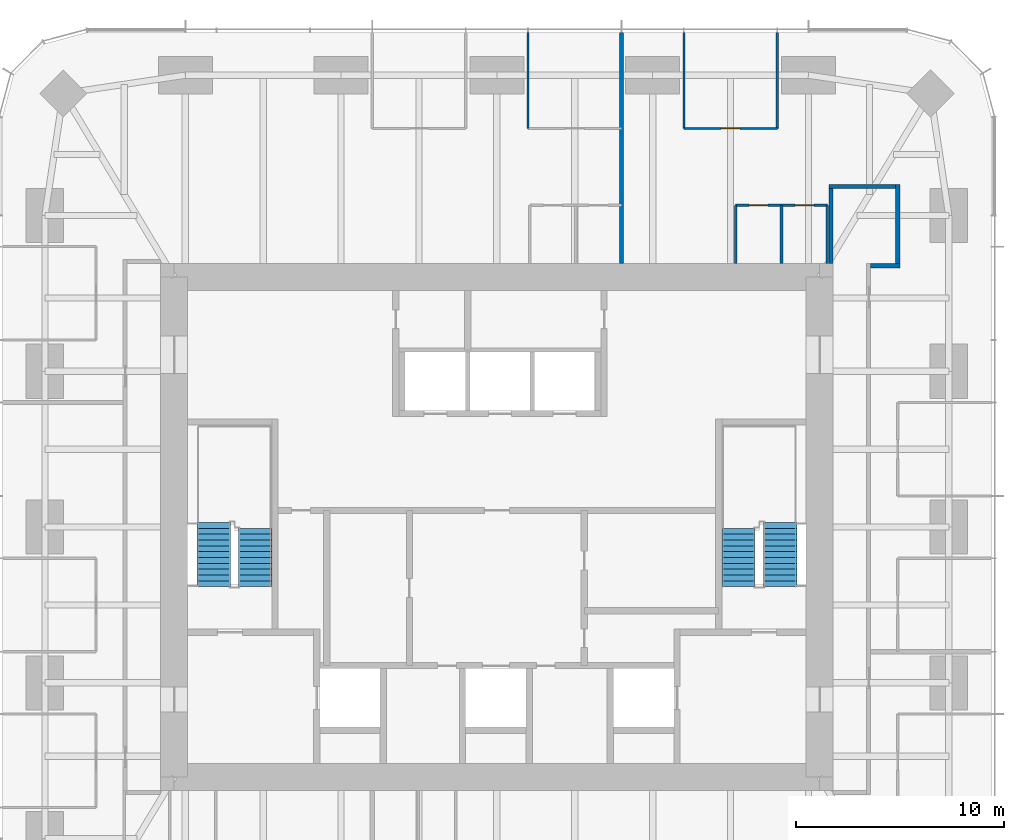
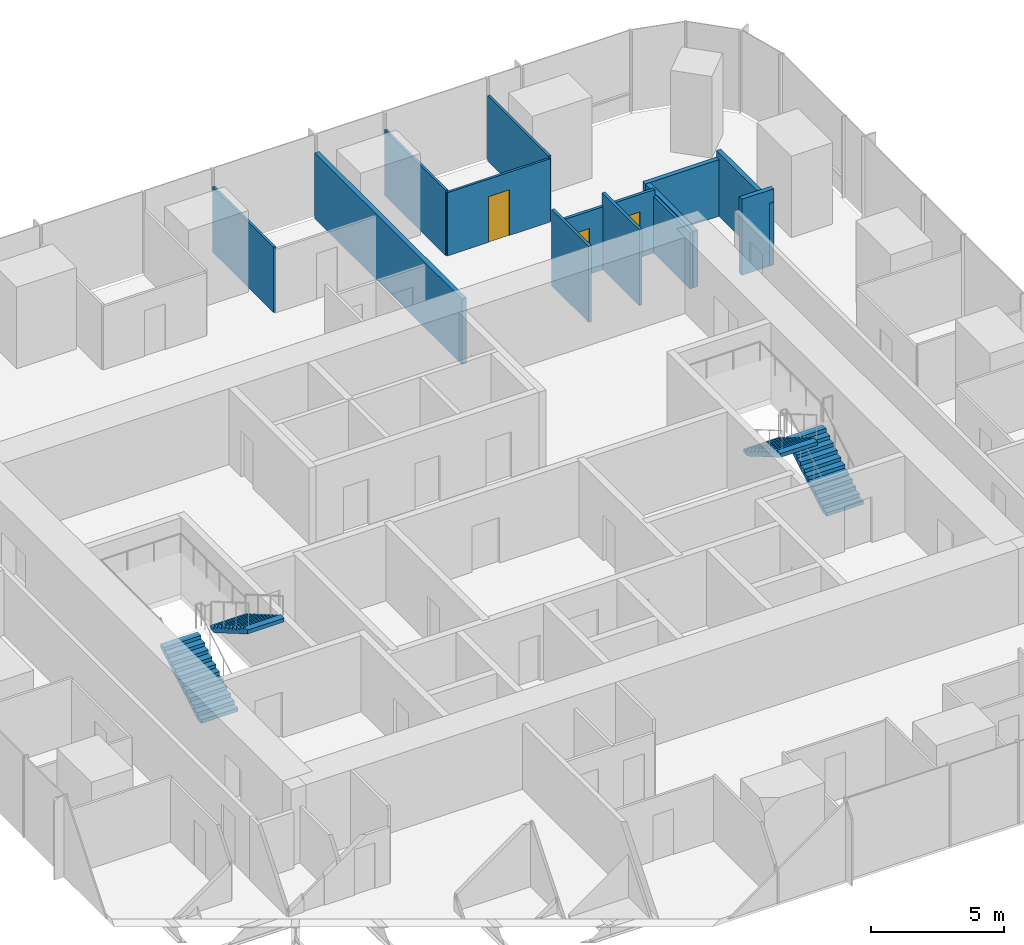
# One storey, part 11 of 12: 13 walls, 4 stair flights, 3 doors, 3 openings, 2 elements without a shape of their own.
"""IFC4 building model written with IfcOpenShell, lengths in metres."""

from ifc_helpers import new_model, si_unit, direction, frame, frame_2d, origin, place, context, subcontext, project, spatial, polyline, rectangle, outline, extrude, material, layer, layer_set, type_object, element, fill, aggregate, save


model = new_model("IFC4")

# Units and contexts
model_context = context("Model", 3, precision=1e-05, world=origin(), true_north=direction((0.0, 1.0)))
body_context = subcontext(model_context, "Body", "Model", "MODEL_VIEW")
ifc_project = project(units=[si_unit("LENGTHUNIT", "METRE"), si_unit("AREAUNIT", "SQUARE_METRE"), si_unit("VOLUMEUNIT", "CUBIC_METRE"), si_unit("PLANEANGLEUNIT", "RADIAN"), si_unit("MASSUNIT", "GRAM", prefix="KILO")], contexts=[model_context])

# Site, building, storey
site_placement = place(None, origin())
site = spatial("IfcSite", under=ifc_project, at=site_placement, CompositionType="ELEMENT")
building_placement = place(site_placement, origin())
building = spatial("IfcBuilding", under=site, at=building_placement, Name="Khuree Lantern Residences", CompositionType="ELEMENT")
storey_placement = place(building_placement, frame((0.0, 0.0, 289.5)))
storey = spatial("IfcBuildingStorey", under=building, at=storey_placement, Name="L72", CompositionType="ELEMENT", Elevation=289.5)

# Wall, openings, doors
ifc_material_1 = material(Name="Moisture-resistant gypsum board on steel studs", Category="steel")
ifc_layer_1 = layer(ifc_material_1, 0.125)
ifc_layer_set_1 = layer_set([ifc_layer_1], Name="BATHROOM WALL BTW125")
wall_type_1 = type_object("IfcWallType", Name="BATHROOM WALL BTW125", PredefinedType="PARTITIONING", material=ifc_layer_set_1)
wall_1_placement = place(storey_placement, frame((15.866455078125, 15.449951171875, 0.0), z_axis=(0.0, 0.0, 1.0), x_axis=(-1.0, 0.0, 0.0)))
wall_1 = element("IfcWall", 1, at=wall_1_placement, inside=storey, type_object=wall_type_1, Name="L72 BATHROOM WALL 01", PredefinedType="PARTITIONING", context=body_context, shape_type="SweptSolid", body=[
    extrude(rectangle(XDim=4.39990234375, YDim=0.125, at=frame_2d((2.199951171875, 0.0))), origin(), (0.0, 0.0, 1.0), 2.89990234375),
])
opening_1_placement = place(wall_1_placement, frame((0.64990234375, 0.0, 0.0)))
opening_1 = element("IfcOpeningElement", 2, at=opening_1_placement, cuts=wall_1, Name="Opening 72-025", PredefinedType="OPENING", context=body_context, shape_type="SweptSolid", body=[
    extrude(rectangle(XDim=0.89990234375, YDim=2.10009765625, at=frame_2d((0.449951171875, 1.050048828125))), frame((0.0, 0.072509765625, 0.0), z_axis=(0.0, -1.0, 0.0), x_axis=(1.0, 0.0, 0.0)), (0.0, 0.0, 1.0), 0.14501953125),
])
opening_2_placement = place(wall_1_placement, frame((2.85009765625, 0.0, 0.0)))
opening_2 = element("IfcOpeningElement", 3, at=opening_2_placement, cuts=wall_1, Name="Opening 72-026", PredefinedType="OPENING", context=body_context, shape_type="SweptSolid", body=[
    extrude(rectangle(XDim=0.89990234375, YDim=2.10009765625, at=frame_2d((0.449951171875, 1.050048828125))), frame((0.0, 0.072509765625, 0.0), z_axis=(0.0, -1.0, 0.0), x_axis=(1.0, 0.0, 0.0)), (0.0, 0.0, 1.0), 0.14501953125),
])
ifc_material_2 = material(Name="Timber door leaf in hardwood frame", Category="wood")
door_type_1 = type_object("IfcDoorType", Name="BATHROOM DOOR 900X2100", OperationType="SINGLE_SWING_LEFT", PredefinedType="DOOR", material=ifc_material_2)
door_1_placement = place(opening_1_placement, origin())
door_1 = element("IfcDoor", 4, at=door_1_placement, inside=storey, type_object=door_type_1, Name="Bathroom door 72-025", OperationType="SINGLE_SWING_LEFT", OverallHeight=2.10009765625, OverallWidth=0.89990234375, PredefinedType="DOOR", context=body_context, shape_type="SweptSolid", body=[
    extrude(rectangle(XDim=0.89990234375, YDim=2.10009765625, at=frame_2d((0.449951171875, 1.050048828125))), frame((0.0, 0.02490234375, 0.0), z_axis=(0.0, -1.0, 0.0), x_axis=(1.0, 0.0, 0.0)), (0.0, 0.0, 1.0), 0.050048828125),
])
fill(opening_1, door_1)
door_2_placement = place(opening_2_placement, origin())
door_2 = element("IfcDoor", 5, at=door_2_placement, inside=storey, type_object=door_type_1, Name="Bathroom door 72-026", OperationType="SINGLE_SWING_LEFT", OverallHeight=2.10009765625, OverallWidth=0.89990234375, PredefinedType="DOOR", context=body_context, shape_type="SweptSolid", body=[
    extrude(rectangle(XDim=0.89990234375, YDim=2.10009765625, at=frame_2d((0.449951171875, 1.050048828125))), frame((0.0, 0.02490234375, 0.0), z_axis=(0.0, -1.0, 0.0), x_axis=(1.0, 0.0, 0.0)), (0.0, 0.0, 1.0), 0.050048828125),
])
fill(opening_2, door_2)

# Walls
wall_2_placement = place(storey_placement, frame((15.866455078125, 12.64990234375, 0.0), z_axis=(0.0, 0.0, 1.0), x_axis=(0.0, 1.0, 0.0)))
element("IfcWall", 6, at=wall_2_placement, inside=storey, type_object=wall_type_1, Name="L72 BATHROOM WALL 01", PredefinedType="PARTITIONING", context=body_context, shape_type="SweptSolid", body=[
    extrude(rectangle(XDim=2.800048828125, YDim=0.125, at=frame_2d((1.39990234375, 0.0))), origin(), (0.0, 0.0, 1.0), 2.60009765625),
])
for number, where, z_axis, x_axis, name in (
    (7, (13.66650390625, 12.64990234375, 0.0), (0.0, 0.0, 1.0), (0.0, 1.0, 0.0), "L72 BATHROOM WALL 01"),
    (8, (11.466552734375, 12.64990234375, 0.0), (0.0, 0.0, 1.0), (0.0, 1.0, 0.0), "L72 BATHROOM WALL 01"),
):
    element("IfcWall", number, at=place(storey_placement, frame(where, z_axis=z_axis, x_axis=x_axis)), inside=storey, type_object=wall_type_1, Name=name, PredefinedType="PARTITIONING", context=body_context, shape_type="SweptSolid", body=[
        extrude(rectangle(XDim=2.800048828125, YDim=0.125, at=frame_2d((1.39990234375, 0.0))), origin(), (0.0, 0.0, 1.0), 3.5),
    ])
ifc_material_3 = material(Name="Gypsum board on steel studs", Category="steel")
ifc_layer_2 = layer(ifc_material_3, 0.199951171875)
ifc_layer_set_2 = layer_set([ifc_layer_2], Name="CORRIDOR WALL CRW200 EI 60")
wall_type_2 = type_object("IfcWallType", Name="CORRIDOR WALL CRW200 EI 60", PredefinedType="PARTITIONING", material=ifc_layer_set_2)
wall_3_placement = place(storey_placement, frame((17.949951171875, 12.550048828125, 0.0), z_axis=(0.0, 0.0, 1.0), x_axis=(1.0, 0.0, 0.0)))
element("IfcWall", 9, at=wall_3_placement, inside=storey, type_object=wall_type_2, Name="L72 RESIDENTS LOUNGE WALL", PredefinedType="PARTITIONING", context=body_context, shape_type="SweptSolid", body=[
    extrude(rectangle(XDim=1.400146484375, YDim=0.199951171875, at=frame_2d((0.7001953125, 0.0))), origin(), (0.0, 0.0, 1.0), 3.5),
])
wall_4_placement = place(storey_placement, frame((19.25, 12.449951171875, 0.0), z_axis=(0.0, 0.0, 1.0), x_axis=(0.0, 1.0, 0.0)))
element("IfcWall", 10, at=wall_4_placement, inside=storey, type_object=wall_type_2, Name="L72 RESIDENTS LOUNGE WALL", PredefinedType="PARTITIONING", context=body_context, shape_type="SweptSolid", body=[
    extrude(rectangle(XDim=4.0, YDim=0.199951171875, at=frame_2d((2.0, 0.0))), origin(), (0.0, 0.0, 1.0), 2.89990234375),
])
wall_5_placement = place(storey_placement, frame((19.14990234375, 16.35009765625, 0.0), z_axis=(0.0, 0.0, 1.0), x_axis=(-1.0, 0.0, 0.0)))
element("IfcWall", 11, at=wall_5_placement, inside=storey, type_object=wall_type_2, Name="L72 RESIDENTS LOUNGE WALL", PredefinedType="PARTITIONING", context=body_context, shape_type="SweptSolid", body=[
    extrude(rectangle(XDim=3.199951171875, YDim=0.199951171875, at=frame_2d((1.60009765625, 0.0))), origin(), (0.0, 0.0, 1.0), 2.60009765625),
])
wall_6_placement = place(storey_placement, frame((16.050048828125, 16.449951171875, 0.0), z_axis=(0.0, 0.0, 1.0), x_axis=(0.0, -1.0, 0.0)))
element("IfcWall", 12, at=wall_6_placement, inside=storey, type_object=wall_type_2, Name="L72 RESIDENTS LOUNGE WALL", PredefinedType="PARTITIONING", context=body_context, shape_type="SweptSolid", body=[
    extrude(rectangle(XDim=3.800048828125, YDim=0.199951171875, at=frame_2d((1.89990234375, 0.0))), origin(), (0.0, 0.0, 1.0), 2.60009765625),
])
ifc_layer_3 = layer(ifc_material_3, 0.199951171875)
ifc_layer_set_3 = layer_set([ifc_layer_3], Name="DEMISING WALL DMW200 EI 90")
wall_type_3 = type_object("IfcWallType", Name="DEMISING WALL DMW200 EI 90", PredefinedType="PARTITIONING", material=ifc_layer_set_3)
wall_7_placement = place(storey_placement, frame((5.98388671875, 12.64990234375, 0.0), z_axis=(0.0, 0.0, 1.0), x_axis=(0.0, 1.0, 0.0)))
element("IfcWall", 13, at=wall_7_placement, inside=storey, type_object=wall_type_3, Name="L72 DEMISING WALL 02", PredefinedType="PARTITIONING", context=body_context, shape_type="SweptSolid", body=[
    extrude(rectangle(XDim=11.10009765625, YDim=0.199951171875, at=frame_2d((5.550048828125, 0.0))), origin(), (0.0, 0.0, 1.0), 3.010009765625),
])
ifc_layer_4 = layer(ifc_material_3, 0.10009765625)
ifc_layer_set_4 = layer_set([ifc_layer_4], Name="PARTITION PT100")
wall_type_4 = type_object("IfcWallType", Name="PARTITION PT100", PredefinedType="PARTITIONING", material=ifc_layer_set_4)
for number, where, z_axis, x_axis, name in (
    (14, (13.464111328125, 19.14990234375, 0.0), (0.0, 0.0, 1.0), (0.0, 1.0, 0.0), "L72 PARTITION 01"),
    (15, (8.97607421875, 19.14990234375, 0.0), (0.0, 0.0, 1.0), (0.0, 1.0, 0.0), "L72 PARTITION 01"),
    (16, (1.49609375, 19.14990234375, 0.0), (0.0, 0.0, 1.0), (0.0, 1.0, 0.0), "L72 PARTITION 02"),
):
    element("IfcWall", number, at=place(storey_placement, frame(where, z_axis=z_axis, x_axis=x_axis)), inside=storey, type_object=wall_type_4, Name=name, PredefinedType="PARTITIONING", context=body_context, shape_type="SweptSolid", body=[
        extrude(rectangle(XDim=4.60009765625, YDim=0.10009765625, at=frame_2d((2.300048828125, 0.0))), origin(), (0.0, 0.0, 1.0), 3.010009765625),
    ])

# Wall, opening, door
wall_8_placement = place(storey_placement, frame((13.464111328125, 19.14990234375, 0.0), z_axis=(0.0, 0.0, 1.0), x_axis=(-1.0, 0.0, 0.0)))
wall_8 = element("IfcWall", 17, at=wall_8_placement, inside=storey, type_object=wall_type_4, Name="L72 PARTITION 01", PredefinedType="PARTITIONING", context=body_context, shape_type="SweptSolid", body=[
    extrude(rectangle(XDim=4.488037109375, YDim=0.10009765625, at=frame_2d((2.244140625, 0.0))), origin(), (0.0, 0.0, 1.0), 2.909912109375),
])
opening_3_placement = place(wall_8_placement, frame((1.7939453125, 0.0, 0.0)))
opening_3 = element("IfcOpeningElement", 18, at=opening_3_placement, cuts=wall_8, Name="Opening 72-024", PredefinedType="OPENING", context=body_context, shape_type="SweptSolid", body=[
    extrude(rectangle(XDim=0.89990234375, YDim=2.10009765625, at=frame_2d((0.449951171875, 1.050048828125))), frame((0.0, 0.06005859375, 0.0), z_axis=(0.0, -1.0, 0.0), x_axis=(1.0, 0.0, 0.0)), (0.0, 0.0, 1.0), 0.1201171875),
])
door_type_2 = type_object("IfcDoorType", Name="BEDROOM DOOR 900X2100", OperationType="SINGLE_SWING_LEFT", PredefinedType="DOOR", material=ifc_material_2)
door_3_placement = place(opening_3_placement, origin())
door_3 = element("IfcDoor", 19, at=door_3_placement, inside=storey, type_object=door_type_2, Name="Bedroom door 72-024", OperationType="SINGLE_SWING_LEFT", OverallHeight=2.10009765625, OverallWidth=0.89990234375, PredefinedType="DOOR", context=body_context, shape_type="SweptSolid", body=[
    extrude(rectangle(XDim=0.89990234375, YDim=2.10009765625, at=frame_2d((0.449951171875, 1.050048828125))), frame((0.0, 0.02490234375, 0.0), z_axis=(0.0, -1.0, 0.0), x_axis=(1.0, 0.0, 0.0)), (0.0, 0.0, 1.0), 0.050048828125),
])
fill(opening_3, door_3)

# Stair, stair flights
ifc_material_4 = material(Name="Concrete C40/50", Category="concrete")
stair_type = type_object("IfcStairType", Name="STAIR ST1 HALF TURN 3600", PredefinedType="HALF_TURN_STAIR", material=ifc_material_4)
stair_1_placement = place(storey_placement, origin())
stair_1 = element("IfcStair", 20, at=stair_1_placement, inside=storey, type_object=stair_type, Name="Stair ST1", PredefinedType="HALF_TURN_STAIR")
stair_flight_type = type_object("IfcStairFlightType", Name="STAIR FLIGHT SF1 1600", PredefinedType="STRAIGHT", material=ifc_material_4)
stair_flight_1_placement = place(storey_placement, frame((-13.60009765625, -2.860107421875, 0.0), z_axis=(0.0, 0.0, 1.0), x_axis=(0.0, 1.0, 0.0)))
stair_flight_1 = element("IfcStairFlight", 21, at=stair_flight_1_placement, type_object=stair_flight_type, Name="ST1 flight 1", NumberOfRisers=12, NumberOfTreads=11, PredefinedType="STRAIGHT", RiserHeight=0.163043478, TreadLength=0.28, context=body_context, shape_type="SweptSolid", body=[
    extrude(outline(polyline([(0.0, 0.0), (0.0, 0.1630859375), (0.280029296875, 0.1630859375), (0.280029296875, 0.326171875), (0.56005859375, 0.326171875), (0.56005859375, 0.489013671875), (0.840087890625, 0.489013671875), (0.840087890625, 0.652099609375), (1.1201171875, 0.652099609375), (1.1201171875, 0.815185546875), (1.39990234375, 0.815185546875), (1.39990234375, 0.978271484375), (1.679931640625, 0.978271484375), (1.679931640625, 1.141357421875), (1.9599609375, 1.141357421875), (1.9599609375, 1.304443359375), (2.239990234375, 1.304443359375), (2.239990234375, 1.46728515625), (2.52001953125, 1.46728515625), (2.52001953125, 1.63037109375), (2.800048828125, 1.63037109375), (2.800048828125, 1.79345703125), (3.080078125, 1.79345703125), (3.080078125, 1.95654296875), (3.080078125, 1.6201171875), (0.2978515625, 0.0), (0.0, 0.0)])), frame((0.0, 0.800048828125, 0.0), z_axis=(0.0, -1.0, 0.0), x_axis=(1.0, 0.0, 0.0)), (0.0, 0.0, 1.0), 1.60009765625),
])
stair_flight_2_placement = place(storey_placement, frame((-11.60009765625, -0.06005859375, 1.95654296875), z_axis=(0.0, 0.0, 1.0), x_axis=(0.0, -1.0, 0.0)))
stair_flight_2 = element("IfcStairFlight", 22, at=stair_flight_2_placement, type_object=stair_flight_type, Name="ST1 flight 2", NumberOfRisers=11, NumberOfTreads=10, PredefinedType="STRAIGHT", RiserHeight=0.163043478, TreadLength=0.28, context=body_context, shape_type="SweptSolid", body=[
    extrude(outline(polyline([(0.0, 0.0), (0.0, 0.1630859375), (0.280029296875, 0.1630859375), (0.280029296875, 0.326171875), (0.56005859375, 0.326171875), (0.56005859375, 0.489013671875), (0.840087890625, 0.489013671875), (0.840087890625, 0.652099609375), (1.1201171875, 0.652099609375), (1.1201171875, 0.815185546875), (1.39990234375, 0.815185546875), (1.39990234375, 0.978271484375), (1.679931640625, 0.978271484375), (1.679931640625, 1.141357421875), (1.9599609375, 1.141357421875), (1.9599609375, 1.304443359375), (2.239990234375, 1.304443359375), (2.239990234375, 1.46728515625), (2.52001953125, 1.46728515625), (2.52001953125, 1.63037109375), (2.800048828125, 1.63037109375), (2.800048828125, 1.79345703125), (2.800048828125, 1.45703125), (0.2978515625, 0.0), (0.0, 0.0)])), frame((0.0, 0.800048828125, 0.0), z_axis=(0.0, -1.0, 0.0), x_axis=(1.0, 0.0, 0.0)), (0.0, 0.0, 1.0), 1.60009765625),
])
aggregate(stair_1, [stair_flight_1, stair_flight_2])

stair_2_placement = place(storey_placement, origin())
stair_2 = element("IfcStair", 23, at=stair_2_placement, inside=storey, type_object=stair_type, Name="Stair ST2", PredefinedType="HALF_TURN_STAIR")
stair_flight_3_placement = place(storey_placement, frame((13.60009765625, -2.860107421875, 0.0), z_axis=(0.0, 0.0, 1.0), x_axis=(0.0, 1.0, 0.0)))
stair_flight_3 = element("IfcStairFlight", 24, at=stair_flight_3_placement, type_object=stair_flight_type, Name="ST2 flight 1", NumberOfRisers=12, NumberOfTreads=11, PredefinedType="STRAIGHT", RiserHeight=0.163043478, TreadLength=0.28, context=body_context, shape_type="SweptSolid", body=[
    extrude(outline(polyline([(0.0, 0.0), (0.0, 0.1630859375), (0.280029296875, 0.1630859375), (0.280029296875, 0.326171875), (0.56005859375, 0.326171875), (0.56005859375, 0.489013671875), (0.840087890625, 0.489013671875), (0.840087890625, 0.652099609375), (1.1201171875, 0.652099609375), (1.1201171875, 0.815185546875), (1.39990234375, 0.815185546875), (1.39990234375, 0.978271484375), (1.679931640625, 0.978271484375), (1.679931640625, 1.141357421875), (1.9599609375, 1.141357421875), (1.9599609375, 1.304443359375), (2.239990234375, 1.304443359375), (2.239990234375, 1.46728515625), (2.52001953125, 1.46728515625), (2.52001953125, 1.63037109375), (2.800048828125, 1.63037109375), (2.800048828125, 1.79345703125), (3.080078125, 1.79345703125), (3.080078125, 1.95654296875), (3.080078125, 1.6201171875), (0.2978515625, 0.0), (0.0, 0.0)])), frame((0.0, 0.800048828125, 0.0), z_axis=(0.0, -1.0, 0.0), x_axis=(1.0, 0.0, 0.0)), (0.0, 0.0, 1.0), 1.60009765625),
])
stair_flight_4_placement = place(storey_placement, frame((11.60009765625, -0.06005859375, 1.95654296875), z_axis=(0.0, 0.0, 1.0), x_axis=(0.0, -1.0, 0.0)))
stair_flight_4 = element("IfcStairFlight", 25, at=stair_flight_4_placement, type_object=stair_flight_type, Name="ST2 flight 2", NumberOfRisers=11, NumberOfTreads=10, PredefinedType="STRAIGHT", RiserHeight=0.163043478, TreadLength=0.28, context=body_context, shape_type="SweptSolid", body=[
    extrude(outline(polyline([(0.0, 0.0), (0.0, 0.1630859375), (0.280029296875, 0.1630859375), (0.280029296875, 0.326171875), (0.56005859375, 0.326171875), (0.56005859375, 0.489013671875), (0.840087890625, 0.489013671875), (0.840087890625, 0.652099609375), (1.1201171875, 0.652099609375), (1.1201171875, 0.815185546875), (1.39990234375, 0.815185546875), (1.39990234375, 0.978271484375), (1.679931640625, 0.978271484375), (1.679931640625, 1.141357421875), (1.9599609375, 1.141357421875), (1.9599609375, 1.304443359375), (2.239990234375, 1.304443359375), (2.239990234375, 1.46728515625), (2.52001953125, 1.46728515625), (2.52001953125, 1.63037109375), (2.800048828125, 1.63037109375), (2.800048828125, 1.79345703125), (2.800048828125, 1.45703125), (0.2978515625, 0.0), (0.0, 0.0)])), frame((0.0, 0.800048828125, 0.0), z_axis=(0.0, -1.0, 0.0), x_axis=(1.0, 0.0, 0.0)), (0.0, 0.0, 1.0), 1.60009765625),
])
aggregate(stair_2, [stair_flight_3, stair_flight_4])

save(model, "model.ifc")
